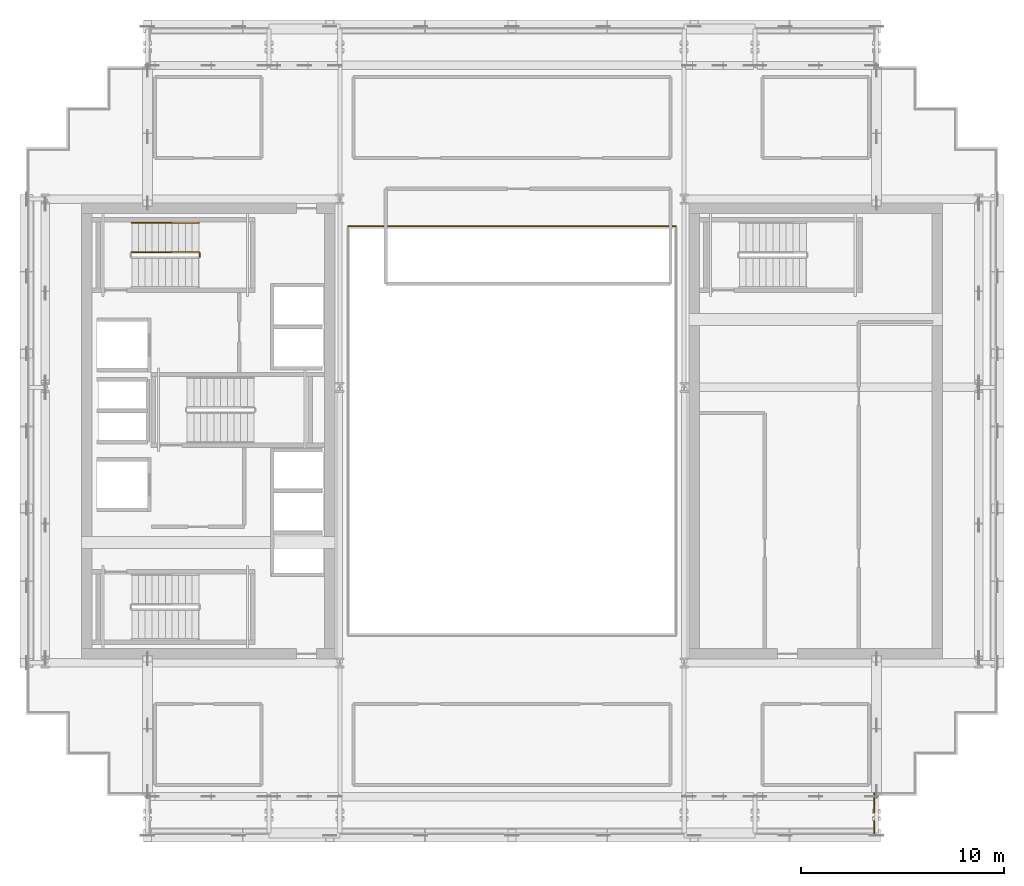
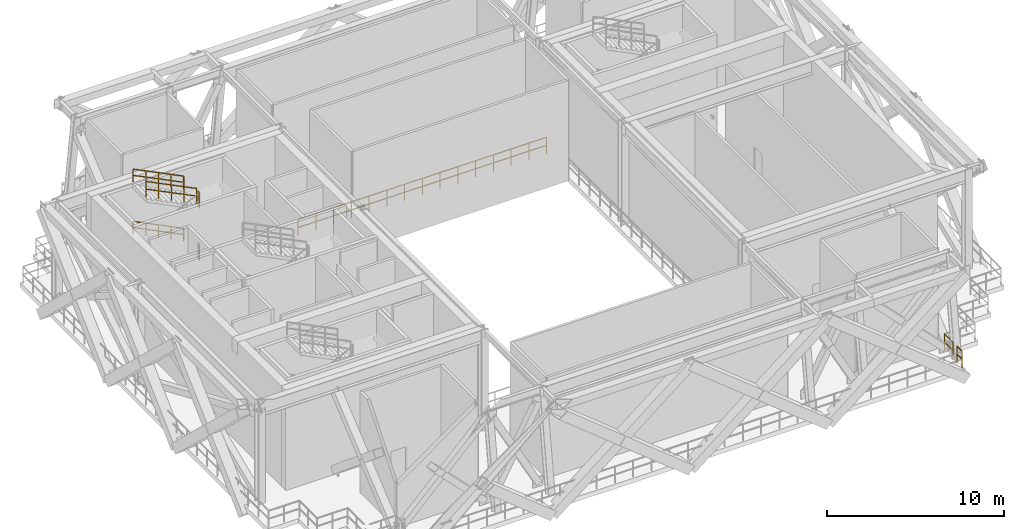
# One storey, part 11 of 13: 8 railings.
"""IFC4 building model written with IfcOpenShell, lengths in metres."""

import ifcopenshell
import ifcopenshell.guid

model = None  # the IFC model being written
_history = None  # IfcOwnerHistory: only IFC2X3 demands one
_inside = {}  # id of a spatial element -> (the spatial element, [elements in it])
_under = {}  # id of a project, library or spatial element -> (it, [spatial elements below it])
_declared = {}  # id of a project -> (the project, [libraries it declares])
_typed = {}  # id of a type object -> (the type object, [elements of that type])
_made_of = {}  # id of a material, layer set ... -> (it, [elements and type objects made of it])


def new_model(schema):
    """Start an empty IFC model of exactly this schema.

    Asked for "IFC4X3", IfcOpenShell would pick the latest addendum, in which some entities
    have other attributes; the version numbers below select the first issue.
    IFC2X3 requires an IfcOwnerHistory on every rooted entity: one is made here for all.
    """
    global model, _history
    if schema == "IFC4X3":
        model = ifcopenshell.file(schema_version=(4, 3, 0, 0))
    else:
        model = ifcopenshell.file(schema=schema)
    _inside.clear()
    _under.clear()
    _declared.clear()
    _typed.clear()
    _made_of.clear()
    _history = None
    if model.schema == "IFC2X3":
        org = make("IfcOrganization", Name="unknown")
        user = make(
            "IfcPersonAndOrganization",
            ThePerson=make("IfcPerson", FamilyName="unknown"),
            TheOrganization=org,
        )
        app = make(
            "IfcApplication",
            ApplicationDeveloper=org,
            Version="unknown",
            ApplicationFullName="unknown",
            ApplicationIdentifier="unknown",
        )
        _history = make(
            "IfcOwnerHistory",
            OwningUser=user,
            OwningApplication=app,
            ChangeAction="ADDED",
            CreationDate=0,
        )
    return model


def make(cls, **values):
    """One entity of the class cls with the attributes given. An attribute that is None is left unset."""
    return model.create_entity(
        cls, **{name: value for name, value in values.items() if value is not None}
    )


def rooted(cls, **values):
    """An entity with a GlobalId (a new one), such as an element, a storey or a relation."""
    return make(cls, GlobalId=ifcopenshell.guid.new(), OwnerHistory=_history, **values)


def si_unit(unit_type, name, prefix=None):
    """IfcSIUnit, for example si_unit("LENGTHUNIT", "METRE", prefix="MILLI")."""
    return make("IfcSIUnit", UnitType=unit_type, Prefix=prefix, Name=name)


def assignment(units):
    """IfcUnitAssignment: the units of a project."""
    return None if units is None else make("IfcUnitAssignment", Units=units)


def point(xyz):
    """IfcCartesianPoint."""
    return None if xyz is None else make("IfcCartesianPoint", Coordinates=xyz)


def direction(xyz):
    """IfcDirection."""
    return None if xyz is None else make("IfcDirection", DirectionRatios=xyz)


def frame(location, z_axis=None, x_axis=None):
    """IfcAxis2Placement3D, a coordinate frame: its origin and axes. An axis left out is left unset."""
    return make(
        "IfcAxis2Placement3D",
        Location=point(location),
        Axis=direction(z_axis),
        RefDirection=direction(x_axis),
    )


def frame_2d(location, x_axis=None):
    """IfcAxis2Placement2D, a coordinate frame in the plane: its origin and x axis."""
    return make(
        "IfcAxis2Placement2D", Location=point(location), RefDirection=direction(x_axis)
    )


def origin():
    """The frame at (0, 0, 0) with its axes left unset."""
    return frame((0.0, 0.0, 0.0))


def origin_2d():
    """The frame at (0, 0) in the plane with its x axis left unset."""
    return frame_2d((0.0, 0.0))


def place(relative_to, where):
    """IfcLocalPlacement: puts the frame where relative to a parent placement (None: the world)."""
    return make(
        "IfcLocalPlacement", PlacementRelTo=relative_to, RelativePlacement=where
    )


def context(
    kind, dimensions, precision=None, world=None, true_north=None, identifier=None
):
    """IfcGeometricRepresentationContext, for example the 3D "Model" context."""
    return make(
        "IfcGeometricRepresentationContext",
        ContextIdentifier=identifier,
        ContextType=kind,
        CoordinateSpaceDimension=dimensions,
        Precision=precision,
        WorldCoordinateSystem=world,
        TrueNorth=true_north,
    )


def subcontext(parent, identifier, kind, view, scale=None):
    """IfcGeometricRepresentationSubContext, for example "Body" below "Model"."""
    return make(
        "IfcGeometricRepresentationSubContext",
        ContextIdentifier=identifier,
        ContextType=kind,
        ParentContext=parent,
        TargetScale=scale,
        TargetView=view,
    )


def project(units=None, contexts=None):
    """IfcProject with its units and contexts."""
    return rooted(
        "IfcProject",
        Name="project",
        RepresentationContexts=contexts,
        UnitsInContext=assignment(units),
    )


def spatial(cls, under=None, at=None, **own):
    """A site, building, storey or space (cls), placed at a placement, below another one or the project."""
    s = rooted(cls, ObjectPlacement=at, **own)
    if under is not None:
        _under.setdefault(under.id(), (under, []))[1].append(s)
    return s


def profile(cls, at=None, kind="AREA", **sizes):
    """A parametric profile (cls). Its sizes go by their IFC names, for example OverallWidth=200.0."""
    return make(cls, ProfileType=kind, Position=at, **sizes)


def rectangle(**sizes):
    """IfcRectangleProfileDef."""
    return profile("IfcRectangleProfileDef", **sizes)


def extrude(swept, where, along, depth):
    """IfcExtrudedAreaSolid: the profile swept, set in the frame where, extruded along a direction by depth."""
    return make(
        "IfcExtrudedAreaSolid",
        SweptArea=swept,
        Position=where,
        ExtrudedDirection=direction(along),
        Depth=depth,
    )


def shape(context_of_items, identifier, shape_type, items):
    """IfcShapeRepresentation: the items that make up one representation, for example the "Body"."""
    return make(
        "IfcShapeRepresentation",
        ContextOfItems=context_of_items,
        RepresentationIdentifier=identifier,
        RepresentationType=shape_type,
        Items=items,
    )


def material(Name=None, Category=None):
    """IfcMaterial."""
    return make("IfcMaterial", Name=Name, Category=Category)


def made_of(thing, what):
    """Note that an element or type object is made of a material, layer set ...; save() writes the relation."""
    if what is not None:
        _made_of.setdefault(what.id(), (what, []))[1].append(thing)
    return thing


def type_object(cls, material=None, **own):
    """A type object (cls), such as IfcWallType, which elements share."""
    return made_of(rooted(cls, **own), material)


def element(
    cls,
    number,
    at=None,
    inside=None,
    cuts=None,
    type_object=None,
    material=None,
    context=None,
    identifier="Body",
    shape_type=None,
    held_by="IfcProductDefinitionShape",
    body=None,
    shapes=None,
    **own,
):
    """One element of the class cls, such as IfcWall. Its Tag is "e" and its number.

    at: its placement. inside: the storey or other place that contains it. cuts: it is an
    opening in that element (IfcRelVoidsElement). A single representation is given by context,
    identifier, shape_type and body (its items); several are given by shapes. held_by: the class
    of the entity that holds the representations. save() writes the other relations.
    """
    e = rooted(cls, Tag="e%d" % number, ObjectPlacement=at, **own)
    if body is not None:
        shapes = [shape(context, identifier, shape_type, body)]
    if shapes is not None:
        e.Representation = make(held_by, Representations=shapes)
    if inside is not None:
        _inside.setdefault(inside.id(), (inside, []))[1].append(e)
    if cuts is not None:
        rooted(
            "IfcRelVoidsElement", RelatingBuildingElement=cuts, RelatedOpeningElement=e
        )
    if type_object is not None:
        _typed.setdefault(type_object.id(), (type_object, []))[1].append(e)
    return made_of(e, material)


def aggregate(whole, parts):
    """IfcRelAggregates: a whole, such as a stair, and the parts it consists of."""
    return rooted("IfcRelAggregates", RelatingObject=whole, RelatedObjects=parts)


def save(model, path):
    """Write the relations noted so far, then the file.

    IfcRelAggregates (storeys below a building ...), IfcRelContainedInSpatialStructure (elements
    in a storey), IfcRelDefinesByType, IfcRelAssociatesMaterial and IfcRelDeclares: one each for
    every whole, place, type object, material and project.
    """
    for whole, parts in _under.values():
        aggregate(whole, parts)
    for where, things in _inside.values():
        rooted(
            "IfcRelContainedInSpatialStructure",
            RelatedElements=things,
            RelatingStructure=where,
        )
    for kind, things in _typed.values():
        rooted("IfcRelDefinesByType", RelatedObjects=things, RelatingType=kind)
    for what, things in _made_of.values():
        rooted("IfcRelAssociatesMaterial", RelatedObjects=things, RelatingMaterial=what)
    for by, libraries in _declared.values():
        rooted("IfcRelDeclares", RelatingContext=by, RelatedDefinitions=libraries)
    model.write(path)


model = new_model("IFC4")

# Units and contexts
model_context = context("Model", 3, precision=1e-05, world=origin(), true_north=direction((0.0, 1.0)))
body_context = subcontext(model_context, "Body", "Model", "MODEL_VIEW")
ifc_project = project(units=[si_unit("LENGTHUNIT", "METRE"), si_unit("AREAUNIT", "SQUARE_METRE"), si_unit("VOLUMEUNIT", "CUBIC_METRE"), si_unit("PLANEANGLEUNIT", "RADIAN"), si_unit("MASSUNIT", "GRAM", prefix="KILO")], contexts=[model_context])

# Site, building, storey
site_placement = place(None, origin())
site = spatial("IfcSite", under=ifc_project, at=site_placement, CompositionType="ELEMENT")
building_placement = place(site_placement, origin())
building = spatial("IfcBuilding", under=site, at=building_placement, Name="Ocotamira Hotel", CompositionType="ELEMENT")
storey_placement = place(building_placement, frame((0.0, 0.0, 220.800048828125)))
storey = spatial("IfcBuildingStorey", under=building, at=storey_placement, Name="L56", CompositionType="ELEMENT", Elevation=220.800048828125)

# Railings
ifc_material_1 = material(Name="Painted steel stair guardrail", Category="steel")
railing_type_1 = type_object("IfcRailingType", Name="RL-EDGE-1150", PredefinedType="GUARDRAIL", material=ifc_material_1)
railing_1_placement = place(storey_placement, frame((40.10009765625, 36.1201171875, 0.0)))
element("IfcRailing", 1, at=railing_1_placement, inside=storey, type_object=railing_type_1, Name="L56 Central Atrium Edge Guardrail N", PredefinedType="GUARDRAIL", context=body_context, shape_type="SweptSolid", body=[
    extrude(rectangle(XDim=0.048095703125, YDim=0.048095703125, at=origin_2d()), frame((0.0, 0.0, 1.1259765625), z_axis=(-1.0, 0.0, 0.0), x_axis=(0.0, -1.0, 0.0)), (0.0, 0.0, 1.0), 16.2001953125),
    extrude(rectangle(XDim=0.048095703125, YDim=0.048095703125, at=origin_2d()), frame((0.0, 0.0, 0.574951171875), z_axis=(-1.0, 0.0, 0.0), x_axis=(0.0, -1.0, 0.0)), (0.0, 0.0, 1.0), 16.2001953125),
    extrude(rectangle(XDim=0.0419921875, YDim=0.0419921875, at=origin_2d()), origin(), (0.0, 0.0, 1.0), 1.101806640625),
    extrude(rectangle(XDim=0.0419921875, YDim=0.0419921875, at=origin_2d()), frame((-1.1572265625, 0.0, 0.0)), (0.0, 0.0, 1.0), 1.101806640625),
    extrude(rectangle(XDim=0.0419921875, YDim=0.0419921875, at=origin_2d()), frame((-2.314208984375, 0.0, 0.0)), (0.0, 0.0, 1.0), 1.101806640625),
    extrude(rectangle(XDim=0.0419921875, YDim=0.0419921875, at=origin_2d()), frame((-3.471435546875, 0.0, 0.0)), (0.0, 0.0, 1.0), 1.101806640625),
    extrude(rectangle(XDim=0.0419921875, YDim=0.0419921875, at=origin_2d()), frame((-4.628662109375, 0.0, 0.0)), (0.0, 0.0, 1.0), 1.101806640625),
    extrude(rectangle(XDim=0.0419921875, YDim=0.0419921875, at=origin_2d()), frame((-5.785888671875, 0.0, 0.0)), (0.0, 0.0, 1.0), 1.101806640625),
    extrude(rectangle(XDim=0.0419921875, YDim=0.0419921875, at=origin_2d()), frame((-6.94287109375, 0.0, 0.0)), (0.0, 0.0, 1.0), 1.101806640625),
    extrude(rectangle(XDim=0.0419921875, YDim=0.0419921875, at=origin_2d()), frame((-8.10009765625, 0.0, 0.0)), (0.0, 0.0, 1.0), 1.101806640625),
    extrude(rectangle(XDim=0.0419921875, YDim=0.0419921875, at=origin_2d()), frame((-9.25732421875, 0.0, 0.0)), (0.0, 0.0, 1.0), 1.101806640625),
    extrude(rectangle(XDim=0.0419921875, YDim=0.0419921875, at=origin_2d()), frame((-10.414306640625, 0.0, 0.0)), (0.0, 0.0, 1.0), 1.101806640625),
    extrude(rectangle(XDim=0.0419921875, YDim=0.0419921875, at=origin_2d()), frame((-11.571533203125, 0.0, 0.0)), (0.0, 0.0, 1.0), 1.101806640625),
    extrude(rectangle(XDim=0.0419921875, YDim=0.0419921875, at=origin_2d()), frame((-12.728759765625, 0.0, 0.0)), (0.0, 0.0, 1.0), 1.101806640625),
    extrude(rectangle(XDim=0.0419921875, YDim=0.0419921875, at=origin_2d()), frame((-13.885986328125, 0.0, 0.0)), (0.0, 0.0, 1.0), 1.101806640625),
    extrude(rectangle(XDim=0.0419921875, YDim=0.0419921875, at=origin_2d()), frame((-15.04296875, 0.0, 0.0)), (0.0, 0.0, 1.0), 1.101806640625),
    extrude(rectangle(XDim=0.0419921875, YDim=0.0419921875, at=origin_2d()), frame((-16.2001953125, 0.0, 0.0)), (0.0, 0.0, 1.0), 1.101806640625),
])
ifc_material_2 = material(Name="Brushed stainless steel handrail", Category="steel")
railing_type_2 = type_object("IfcRailingType", Name="RL-HAND-900", PredefinedType="HANDRAIL", material=ifc_material_2)
railing_2_placement = place(storey_placement, frame((16.530029296875, 36.280029296875, 2.127197265625)))
element("IfcRailing", 2, at=railing_2_placement, inside=storey, type_object=railing_type_2, Name="L56 ST-2 stair handrail 2", PredefinedType="HANDRAIL", context=body_context, shape_type="SweptSolid", body=[
    extrude(rectangle(XDim=0.048095703125, YDim=0.048095703125, at=origin_2d()), frame((0.0, 0.0, 0.8759765625), z_axis=(-0.895893744519, 0.0, 0.4442683857), x_axis=(0.0, -1.0, 0.0)), (0.0, 0.0, 1.0), 3.68359375),
    extrude(rectangle(XDim=0.048095703125, YDim=0.048095703125, at=origin_2d()), frame((0.0, 0.0, 0.449951171875), z_axis=(-0.895893744519, 0.0, 0.4442683857), x_axis=(0.0, -1.0, 0.0)), (0.0, 0.0, 1.0), 3.68359375),
    extrude(rectangle(XDim=0.0419921875, YDim=0.0419921875, at=origin_2d()), origin(), (0.0, 0.0, 1.0), 0.851806640625),
    extrude(rectangle(XDim=0.0419921875, YDim=0.0419921875, at=origin_2d()), frame((-0.824951171875, 0.0, 0.4091796875)), (0.0, 0.0, 1.0), 0.851806640625),
    extrude(rectangle(XDim=0.0419921875, YDim=0.0419921875, at=origin_2d()), frame((-1.64990234375, 0.0, 0.818359375)), (0.0, 0.0, 1.0), 0.851806640625),
    extrude(rectangle(XDim=0.0419921875, YDim=0.0419921875, at=origin_2d()), frame((-2.47509765625, 0.0, 1.227294921875)), (0.0, 0.0, 1.0), 0.851806640625),
    extrude(rectangle(XDim=0.0419921875, YDim=0.0419921875, at=origin_2d()), frame((-3.300048828125, 0.0, 1.636474609375)), (0.0, 0.0, 1.0), 0.851806640625),
])
railing_3_placement = place(storey_placement, frame((16.530029296875, 36.280029296875, 5.727294921875)))
element("IfcRailing", 3, at=railing_3_placement, inside=storey, type_object=railing_type_2, Name="L56 ST-2 stair handrail 4", PredefinedType="HANDRAIL", context=body_context, shape_type="SweptSolid", body=[
    extrude(rectangle(XDim=0.048095703125, YDim=0.048095703125, at=origin_2d()), frame((0.0, 0.0, 0.8759765625), z_axis=(-0.895920123917, 0.0, 0.444215186098), x_axis=(0.0, -1.0, 0.0)), (0.0, 0.0, 1.0), 3.683349609375),
    extrude(rectangle(XDim=0.048095703125, YDim=0.048095703125, at=origin_2d()), frame((0.0, 0.0, 0.449951171875), z_axis=(-0.895920123917, 0.0, 0.444215186098), x_axis=(0.0, -1.0, 0.0)), (0.0, 0.0, 1.0), 3.683349609375),
    extrude(rectangle(XDim=0.0419921875, YDim=0.0419921875, at=origin_2d()), origin(), (0.0, 0.0, 1.0), 0.851806640625),
    extrude(rectangle(XDim=0.0419921875, YDim=0.0419921875, at=origin_2d()), frame((-0.824951171875, 0.0, 0.4091796875)), (0.0, 0.0, 1.0), 0.851806640625),
    extrude(rectangle(XDim=0.0419921875, YDim=0.0419921875, at=origin_2d()), frame((-1.64990234375, 0.0, 0.818115234375)), (0.0, 0.0, 1.0), 0.851806640625),
    extrude(rectangle(XDim=0.0419921875, YDim=0.0419921875, at=origin_2d()), frame((-2.47509765625, 0.0, 1.22705078125)), (0.0, 0.0, 1.0), 0.851806640625),
    extrude(rectangle(XDim=0.0419921875, YDim=0.0419921875, at=origin_2d()), frame((-3.300048828125, 0.0, 1.63623046875)), (0.0, 0.0, 1.0), 0.851806640625),
])
ifc_material_3 = material(Name="Pale-metal stainless steel guardrail", Category="steel")
railing_type_3 = type_object("IfcRailingType", Name="RL-PERIM-1150", PredefinedType="GUARDRAIL", material=ifc_material_3)
railing_4_placement = place(storey_placement, frame((49.8798828125, 8.1201171875, 0.0)))
element("IfcRailing", 4, at=railing_4_placement, inside=storey, type_object=railing_type_3, Name="L56 Perimeter Guardrail WSLOT1-30", PredefinedType="GUARDRAIL", context=body_context, shape_type="SweptSolid", body=[
    extrude(rectangle(XDim=0.048095703125, YDim=0.048095703125, at=origin_2d()), frame((0.0, 0.0, 1.1259765625), z_axis=(0.0, -1.0, 0.0), x_axis=(1.0, 0.0, 0.0)), (0.0, 0.0, 1.0), 0.946533203125),
    extrude(rectangle(XDim=0.048095703125, YDim=0.048095703125, at=origin_2d()), frame((0.0, 0.0, 0.574951171875), z_axis=(0.0, -1.0, 0.0), x_axis=(1.0, 0.0, 0.0)), (0.0, 0.0, 1.0), 0.946533203125),
    extrude(rectangle(XDim=0.0419921875, YDim=0.0419921875, at=origin_2d()), origin(), (0.0, 0.0, 1.0), 1.101806640625),
    extrude(rectangle(XDim=0.0419921875, YDim=0.0419921875, at=origin_2d()), frame((0.0, -0.946533203125, 0.0)), (0.0, 0.0, 1.0), 1.101806640625),
])
railing_5_placement = place(storey_placement, frame((49.8798828125, 6.7265625, 0.0)))
element("IfcRailing", 5, at=railing_5_placement, inside=storey, type_object=railing_type_3, Name="L56 Perimeter Guardrail WSLOT1-31", PredefinedType="GUARDRAIL", context=body_context, shape_type="SweptSolid", body=[
    extrude(rectangle(XDim=0.048095703125, YDim=0.048095703125, at=origin_2d()), frame((0.0, 0.0, 1.1259765625), z_axis=(0.0, -1.0, 0.0), x_axis=(1.0, 0.0, 0.0)), (0.0, 0.0, 1.0), 0.6064453125),
    extrude(rectangle(XDim=0.048095703125, YDim=0.048095703125, at=origin_2d()), frame((0.0, 0.0, 0.574951171875), z_axis=(0.0, -1.0, 0.0), x_axis=(1.0, 0.0, 0.0)), (0.0, 0.0, 1.0), 0.6064453125),
    extrude(rectangle(XDim=0.0419921875, YDim=0.0419921875, at=origin_2d()), origin(), (0.0, 0.0, 1.0), 1.101806640625),
    extrude(rectangle(XDim=0.0419921875, YDim=0.0419921875, at=origin_2d()), frame((0.0, -0.6064453125, 0.0)), (0.0, 0.0, 1.0), 1.101806640625),
])
railing_type_4 = type_object("IfcRailingType", Name="RL-STAIR-1100", PredefinedType="GUARDRAIL", material=ifc_material_1)
for number, where, name in (
    (6, (16.580078125, 34.610107421875, 1.800048828125), "L56 ST-2 stair guard 2"),
    (7, (16.580078125, 34.610107421875, 5.39990234375), "L56 ST-2 stair guard 6"),
):
    element("IfcRailing", number, at=place(storey_placement, frame(where)), inside=storey, type_object=railing_type_4, Name=name, PredefinedType="GUARDRAIL", context=body_context, shape_type="SweptSolid", body=[
        extrude(rectangle(XDim=0.048095703125, YDim=0.048095703125, at=origin_2d()), frame((0.0, 0.0, 1.076171875), z_axis=(0.0, 1.0, 0.0), x_axis=(-1.0, 0.0, 0.0)), (0.0, 0.0, 1.0), 0.159912109375),
        extrude(rectangle(XDim=0.048095703125, YDim=0.048095703125, at=origin_2d()), frame((0.0, 0.0, 0.550048828125), z_axis=(0.0, 1.0, 0.0), x_axis=(-1.0, 0.0, 0.0)), (0.0, 0.0, 1.0), 0.159912109375),
        extrude(rectangle(XDim=0.0419921875, YDim=0.0419921875, at=origin_2d()), origin(), (0.0, 0.0, 1.0), 1.052001953125),
        extrude(rectangle(XDim=0.0419921875, YDim=0.0419921875, at=origin_2d()), frame((0.0, 0.159912109375, 0.0)), (0.0, 0.0, 1.0), 1.052001953125),
    ])
railing_6_placement = place(storey_placement, frame((16.530029296875, 34.820068359375, 5.5634765625)))
element("IfcRailing", 8, at=railing_6_placement, inside=storey, type_object=railing_type_4, Name="L56 ST-2 stair guard 7", PredefinedType="GUARDRAIL", context=body_context, shape_type="SweptSolid", body=[
    extrude(rectangle(XDim=0.048095703125, YDim=0.048095703125, at=origin_2d()), frame((0.0, 0.0, 1.076171875), z_axis=(-0.895893744519, 0.0, 0.4442683857), x_axis=(0.0, -1.0, 0.0)), (0.0, 0.0, 1.0), 3.68359375),
    extrude(rectangle(XDim=0.048095703125, YDim=0.048095703125, at=origin_2d()), frame((0.0, 0.0, 0.550048828125), z_axis=(-0.895893744519, 0.0, 0.4442683857), x_axis=(0.0, -1.0, 0.0)), (0.0, 0.0, 1.0), 3.68359375),
    extrude(rectangle(XDim=0.0419921875, YDim=0.0419921875, at=origin_2d()), origin(), (0.0, 0.0, 1.0), 1.052001953125),
    extrude(rectangle(XDim=0.0419921875, YDim=0.0419921875, at=origin_2d()), frame((-0.824951171875, 0.0, 0.4091796875)), (0.0, 0.0, 1.0), 1.052001953125),
    extrude(rectangle(XDim=0.0419921875, YDim=0.0419921875, at=origin_2d()), frame((-1.64990234375, 0.0, 0.818359375)), (0.0, 0.0, 1.0), 1.052001953125),
    extrude(rectangle(XDim=0.0419921875, YDim=0.0419921875, at=origin_2d()), frame((-2.47509765625, 0.0, 1.227294921875)), (0.0, 0.0, 1.0), 1.052001953125),
    extrude(rectangle(XDim=0.0419921875, YDim=0.0419921875, at=origin_2d()), frame((-3.300048828125, 0.0, 1.636474609375)), (0.0, 0.0, 1.0), 1.052001953125),
])

save(model, "model.ifc")
